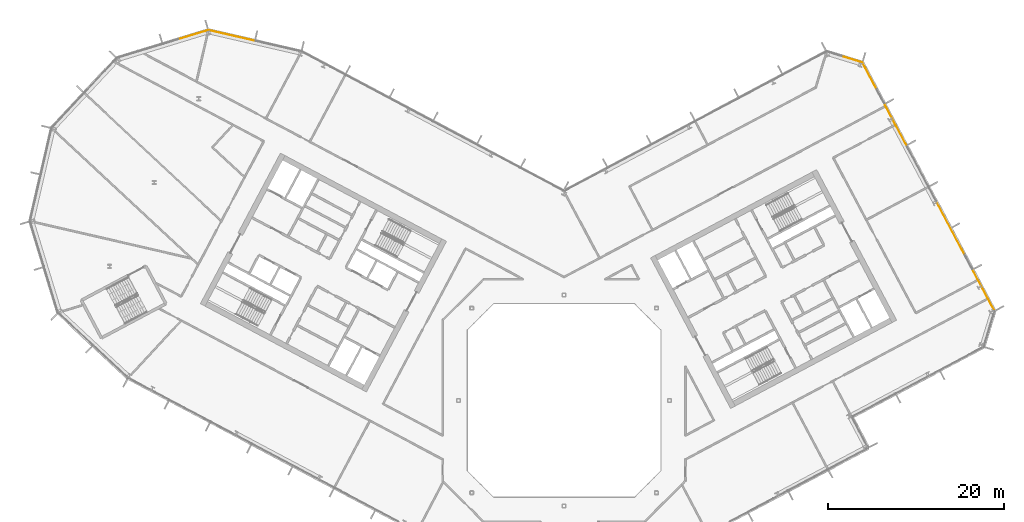
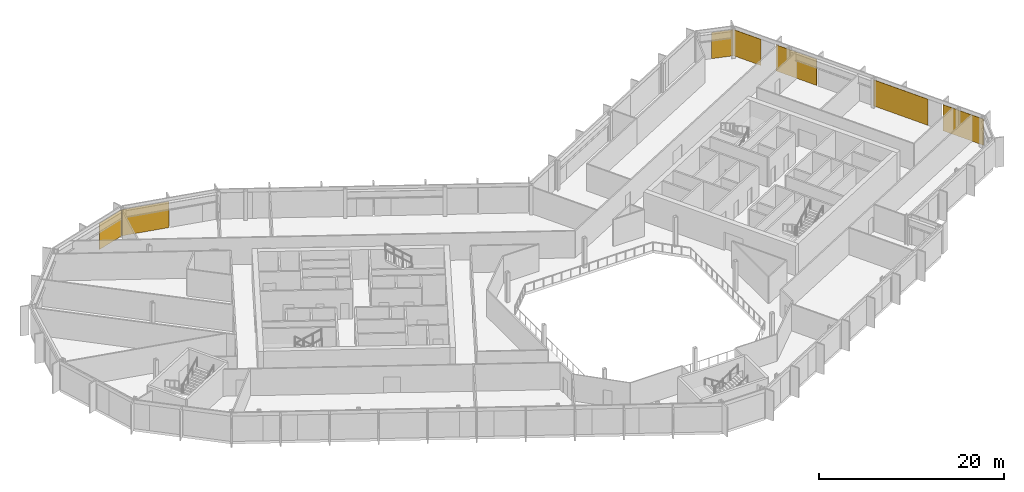
# One storey, part 26 of 26: 7 coverings, 4 elements without a shape of their own.
"""IFC4 building model written with IfcOpenShell, lengths in metres."""

from ifc_helpers import new_model, si_unit, direction, frame, origin, origin_2d, place, context, subcontext, project, spatial, rectangle, extrude, material, layer, layer_set, type_object, element, aggregate, save


model = new_model("IFC4")

# Units and contexts
model_context = context("Model", 3, precision=1e-05, world=origin(), true_north=direction((0.0, 1.0)))
body_context = subcontext(model_context, "Body", "Model", "MODEL_VIEW")
ifc_project = project(units=[si_unit("LENGTHUNIT", "METRE"), si_unit("AREAUNIT", "SQUARE_METRE"), si_unit("VOLUMEUNIT", "CUBIC_METRE"), si_unit("PLANEANGLEUNIT", "RADIAN"), si_unit("MASSUNIT", "GRAM", prefix="KILO")], contexts=[model_context])

# Site, building, storey
site_placement = place(None, origin())
site = spatial("IfcSite", under=ifc_project, at=site_placement, CompositionType="ELEMENT")
building_placement = place(site_placement, origin())
building = spatial("IfcBuilding", under=site, at=building_placement, Name="Cormorant Relay Tower", CompositionType="ELEMENT")
storey_placement = place(building_placement, frame((0.0, 0.0, 193.5)))
storey = spatial("IfcBuildingStorey", under=building, at=storey_placement, Name="L41", CompositionType="ELEMENT", Elevation=193.5)

# Curtain wall, coverings
ifc_material_1 = material(Name="Aluminium 6063-T6 anodised bronze", Category="aluminium")
ifc_layer_1 = layer(ifc_material_1, 0.199951171875)
ifc_layer_set_1 = layer_set([ifc_layer_1], Name="CW1 unitised bronze curtain wall with vertical fins")
curtain_wall_type = type_object("IfcCurtainWallType", Name="CW1 unitised bronze curtain wall with vertical fins", PredefinedType="NOTDEFINED", material=ifc_layer_set_1)
curtain_wall_1_placement = place(storey_placement, origin())
curtain_wall_1 = element("IfcCurtainWall", 1, at=curtain_wall_1_placement, inside=storey, type_object=curtain_wall_type, Name="CW1 curtain wall 6", PredefinedType="NOTDEFINED")
ifc_material_2 = material(Name="Pale bronze anodised aluminium insulated panel", Category="aluminium")
ifc_layer_2 = layer(ifc_material_2, 0.0400390625)
ifc_layer_set_2 = layer_set([ifc_layer_2], Name="CW1 pale bronze insulated panel 40")
covering_type = type_object("IfcCoveringType", Name="CW1 pale bronze insulated panel 40", PredefinedType="CLADDING", material=ifc_layer_set_2)
covering_1_placement = place(storey_placement, frame((47.7197265625, 12.537353515625, 0.0), z_axis=(0.0, 0.0, 1.0), x_axis=(-0.469471562786, 0.882947592859, 0.0)))
covering_1 = element("IfcCovering", 2, at=covering_1_placement, type_object=covering_type, Name="CW1 panel S00", PredefinedType="CLADDING", context=body_context, shape_type="SweptSolid", body=[
    extrude(rectangle(XDim=5.183349609375, YDim=0.0400390625, at=origin_2d()), origin(), (0.0, 0.0, 1.0), 3.449951171875),
])
covering_2_placement = place(storey_placement, frame((43.964111328125, 19.600830078125, 0.0), z_axis=(0.0, 0.0, 1.0), x_axis=(-0.469471562786, 0.882947592859, 0.0)))
covering_2 = element("IfcCovering", 3, at=covering_2_placement, type_object=covering_type, Name="CW1 panel S02", PredefinedType="CLADDING", context=body_context, shape_type="SweptSolid", body=[
    extrude(rectangle(XDim=6.916748046875, YDim=0.0400390625, at=origin_2d()), origin(), (0.0, 0.0, 1.0), 3.449951171875),
])
covering_3_placement = place(storey_placement, frame((37.704345703125, 31.37353515625, 0.0), z_axis=(0.0, 0.0, 1.0), x_axis=(-0.469471562786, 0.882947592859, 0.0)))
covering_3 = element("IfcCovering", 4, at=covering_3_placement, type_object=covering_type, Name="CW1 panel S05", PredefinedType="CLADDING", context=body_context, shape_type="SweptSolid", body=[
    extrude(rectangle(XDim=5.183349609375, YDim=0.0400390625, at=origin_2d()), origin(), (0.0, 0.0, 1.0), 3.449951171875),
])
covering_4_placement = place(storey_placement, frame((34.760498046875, 36.910400390625, 0.0), z_axis=(0.0, 0.0, 1.0), x_axis=(-0.469471562786, 0.882947592859, 0.0)))
covering_4 = element("IfcCovering", 5, at=covering_4_placement, type_object=covering_type, Name="CW1 panel S07", PredefinedType="CLADDING", context=body_context, shape_type="SweptSolid", body=[
    extrude(rectangle(XDim=3.458251953125, YDim=0.0400390625, at=origin_2d()), origin(), (0.0, 0.0, 1.0), 3.449951171875),
])
aggregate(curtain_wall_1, [covering_1, covering_2, covering_3, covering_4])

# Curtain wall, covering
curtain_wall_2_placement = place(storey_placement, origin())
curtain_wall_2 = element("IfcCurtainWall", 6, at=curtain_wall_2_placement, inside=storey, type_object=curtain_wall_type, Name="CW1 curtain wall 7", PredefinedType="NOTDEFINED")
covering_5_placement = place(storey_placement, frame((32.73291015625, 38.81494140625, 0.0), z_axis=(0.0, 0.0, 1.0), x_axis=(-0.956304755963, 0.292371704723, 0.0)))
covering_5 = element("IfcCovering", 7, at=covering_5_placement, type_object=covering_type, Name="CW1 panel S00", PredefinedType="CLADDING", context=body_context, shape_type="SweptSolid", body=[
    extrude(rectangle(XDim=2.36767578125, YDim=0.0400390625, at=origin_2d()), origin(), (0.0, 0.0, 1.0), 3.449951171875),
])
aggregate(curtain_wall_2, [covering_5])

curtain_wall_3_placement = place(storey_placement, origin())
curtain_wall_3 = element("IfcCurtainWall", 8, at=curtain_wall_3_placement, inside=storey, type_object=curtain_wall_type, Name="CW1 curtain wall 10", PredefinedType="NOTDEFINED")
covering_6_placement = place(storey_placement, frame((-37.849609375, 41.530029296875, 0.0), z_axis=(0.0, 0.0, 1.0), x_axis=(-0.974370064785, 0.224951054344, 0.0)))
covering_6 = element("IfcCovering", 9, at=covering_6_placement, type_object=covering_type, Name="CW1 panel S02", PredefinedType="CLADDING", context=body_context, shape_type="SweptSolid", body=[
    extrude(rectangle(XDim=5.360107421875, YDim=0.0400390625, at=origin_2d()), origin(), (0.0, 0.0, 1.0), 3.449951171875),
])
aggregate(curtain_wall_3, [covering_6])

curtain_wall_4_placement = place(storey_placement, origin())
curtain_wall_4 = element("IfcCurtainWall", 10, at=curtain_wall_4_placement, inside=storey, type_object=curtain_wall_type, Name="CW1 curtain wall 11", PredefinedType="NOTDEFINED")
covering_7_placement = place(storey_placement, frame((-42.209716796875, 41.60107421875, 0.0), z_axis=(0.0, 0.0, 1.0), x_axis=(-0.956304755963, -0.292371704723, 0.0)))
covering_7 = element("IfcCovering", 11, at=covering_7_placement, type_object=covering_type, Name="CW1 panel S00", PredefinedType="CLADDING", context=body_context, shape_type="SweptSolid", body=[
    extrude(rectangle(XDim=3.485107421875, YDim=0.0400390625, at=origin_2d()), origin(), (0.0, 0.0, 1.0), 3.449951171875),
])
aggregate(curtain_wall_4, [covering_7])

save(model, "model.ifc")
